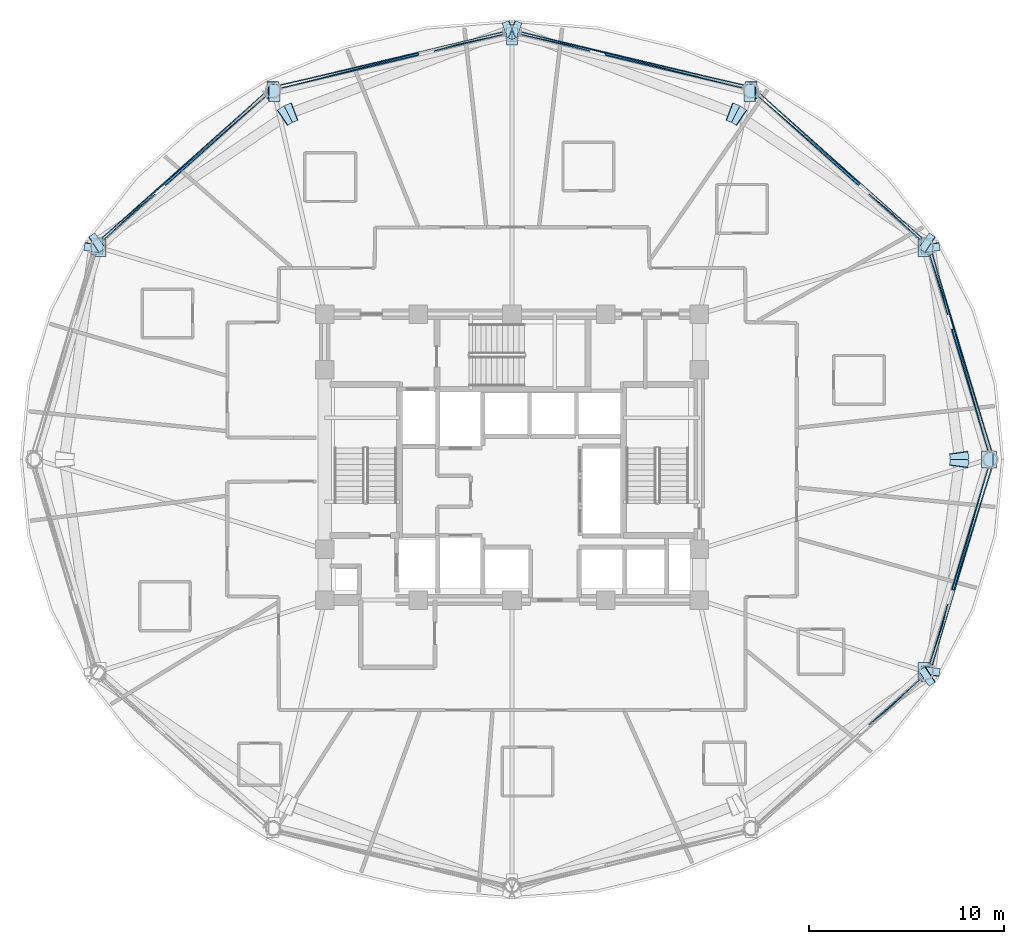
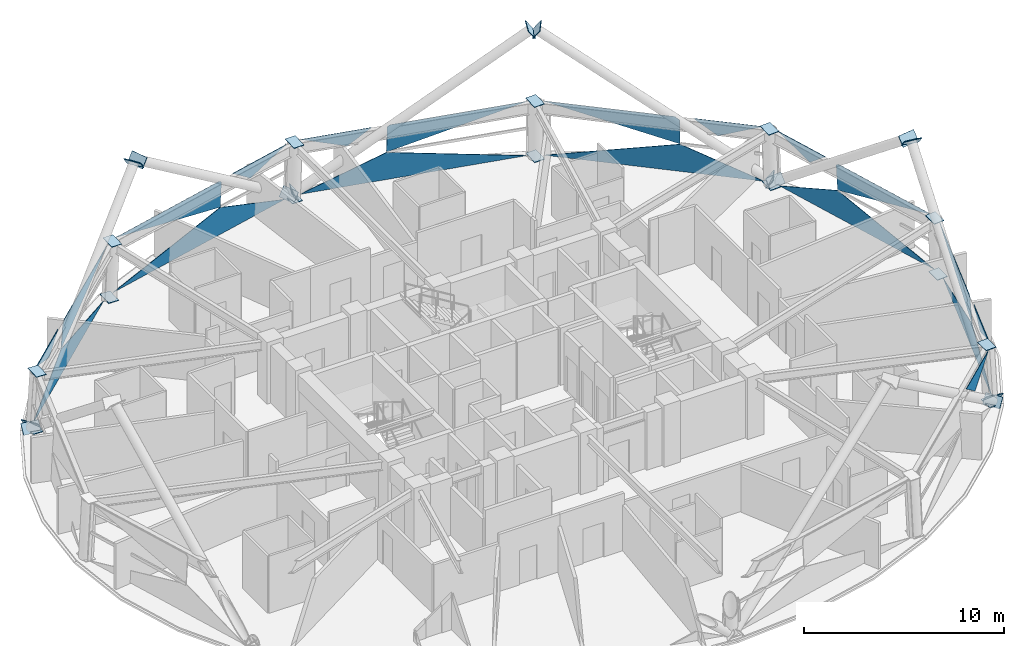
# One storey, part 6 of 13: 47 plates, 7 elements without a shape of their own.
"""IFC4 building model written with IfcOpenShell, lengths in metres."""

from ifc_helpers import new_model, si_unit, direction, frame, origin, place, context, subcontext, project, spatial, polyline, outline, extrude, material, layer, layer_set, type_object, element, aggregate, save


model = new_model("IFC4")

# Units and contexts
model_context = context("Model", 3, precision=1e-05, world=origin(), true_north=direction((0.0, 1.0)))
body_context = subcontext(model_context, "Body", "Model", "MODEL_VIEW")
ifc_project = project(units=[si_unit("LENGTHUNIT", "METRE"), si_unit("AREAUNIT", "SQUARE_METRE"), si_unit("VOLUMEUNIT", "CUBIC_METRE"), si_unit("PLANEANGLEUNIT", "RADIAN"), si_unit("MASSUNIT", "GRAM", prefix="KILO")], contexts=[model_context])

# Site, building, storey
site_placement = place(None, origin())
site = spatial("IfcSite", under=ifc_project, at=site_placement, CompositionType="ELEMENT")
building_placement = place(site_placement, origin())
building = spatial("IfcBuilding", under=site, at=building_placement, Name="Vantalir Tower", CompositionType="ELEMENT")
storey_placement = place(building_placement, frame((0.0, 0.0, 172.199951171875)))
storey = spatial("IfcBuildingStorey", under=building, at=storey_placement, Name="L43", CompositionType="ELEMENT", Elevation=172.199951171875)

# Curtain wall, plates
ifc_material_1 = material(Name="Champagne-silver PVDF aluminium and double-silver Low-E glass", Category="aluminium")
ifc_layer_1 = layer(ifc_material_1, 0.199951171875)
ifc_layer_set_1 = layer_set([ifc_layer_1], Name="Champagne-silver PVDF aluminium and double-silver Low-E glass")
curtain_wall_type = type_object("IfcCurtainWallType", Name="CW-DIAMOND-Z2", PredefinedType="USERDEFINED", material=ifc_layer_set_1)
curtain_wall_1_placement = place(storey_placement, origin())
curtain_wall_1 = element("IfcCurtainWall", 1, at=curtain_wall_1_placement, inside=storey, type_object=curtain_wall_type, Name="L43 Quilted Pyramid-Diamond Curtain Wall S01", ObjectType="UNITISED CURTAIN WALL", PredefinedType="USERDEFINED")
ifc_material_2 = material(Name="Double-silver Low-E laminated glass IGU", Category="glass")
ifc_layer_2 = layer(ifc_material_2, 0.028076171875)
ifc_layer_set_2 = layer_set([ifc_layer_2], Name="Double-silver Low-E laminated glass IGU")
plate_type_1 = type_object("IfcPlateType", Name="CWP-IGU-28", PredefinedType="CURTAIN_PANEL", material=ifc_layer_set_2)
plate_1_placement = place(storey_placement, frame((56.094970703125, 25.435546875, 0.046630859375), z_axis=(0.956955096844, 0.287718746603, 0.038142698863), x_axis=(-0.287929113413, 0.957651724333, 2.3039859e-05)))
plate_1 = element("IfcPlate", 2, at=plate_1_placement, type_object=plate_type_1, Name="CW-L43-S01 Pyramid Diamond Facet 1L", PredefinedType="CURTAIN_PANEL", context=body_context, shape_type="SweptSolid", body=[
    extrude(outline(polyline([(0.0, 0.0), (10.596446307439443, 3.198396408832238e-18), (6.56443984391698, 1.6924866249864094), (0.0, 0.0)])), origin(), (0.0, 0.0, -1.0), 0.028076171875),
])
plate_2_placement = place(storey_placement, frame((55.9091796875, 25.435791015625, 3.45361328125), z_axis=(0.955555812848, 0.287301329497, 0.066113800383), x_axis=(-0.28792892292, 0.957651781153, -3.7419372e-05)))
plate_2 = element("IfcPlate", 3, at=plate_2_placement, type_object=plate_type_1, Name="CW-L43-S01 Pyramid Diamond Facet 2U", PredefinedType="CURTAIN_PANEL", context=body_context, shape_type="SweptSolid", body=[
    extrude(outline(polyline([(0.0, 0.0), (6.375228442420221, 2.4936649967166602e-17), (6.510694119813763, -0.10961534320665463), (6.510619622570826, -1.6951099342302705), (0.0, 0.0)])), origin(), (0.0, 0.0, -1.0), 0.028076171875),
])
plate_3_placement = place(storey_placement, frame((53.843505859375, 32.417236328125, 3.45556640625), z_axis=(0.955531387519, 0.287358698285, 0.066217414521), x_axis=(-0.287985969373, 0.957634625381, -7.5606713e-05)))
plate_3 = element("IfcPlate", 4, at=plate_3_placement, type_object=plate_type_1, Name="CW-L43-S01 Pyramid Diamond Facet 2U Infill Light", PredefinedType="CURTAIN_PANEL", context=body_context, shape_type="SweptSolid", body=[
    extrude(outline(polyline([(0.0, 0.0), (3.2290866206102673, -1.0679391398982219e-17), (1.1092688719092458, -0.8986169178360527), (0.0, 0.0)])), origin(), (0.0, 0.0, -1.0), 0.028076171875),
])
aggregate(curtain_wall_1, [plate_1, plate_2, plate_3])

curtain_wall_2_placement = place(storey_placement, origin())
curtain_wall_2 = element("IfcCurtainWall", 5, at=curtain_wall_2_placement, inside=storey, type_object=curtain_wall_type, Name="L43 Quilted Pyramid-Diamond Curtain Wall S02", ObjectType="UNITISED CURTAIN WALL", PredefinedType="USERDEFINED")
plate_4_placement = place(storey_placement, frame((52.5732421875, 36.321533203125, 0.046630859375), z_axis=(0.66494584616, 0.746044335432, 0.035565028402), x_axis=(-0.746516092776, 0.665367359247, -2.1773205e-05)))
plate_4 = element("IfcPlate", 6, at=plate_4_placement, type_object=plate_type_1, Name="CW-L43-S02 Pyramid Diamond Facet 1L", PredefinedType="CURTAIN_PANEL", context=body_context, shape_type="SweptSolid", body=[
    extrude(outline(polyline([(0.0, 0.0), (11.212893532701283, 7.05544563744942e-17), (4.277620445849617, 1.692814463456665), (0.0, 0.0)])), origin(), (0.0, 0.0, -1.0), 0.028076171875),
])
plate_5_placement = place(storey_placement, frame((49.08154296875, 39.207763671875, 3.45361328125), z_axis=(0.664052763051, 0.745004480518, 0.063263353477), x_axis=(-0.746499829424, 0.665385605998, 2.62485e-07)))
plate_5 = element("IfcPlate", 7, at=plate_5_placement, type_object=plate_type_1, Name="CW-L43-S02 Pyramid Diamond Facet 2U", PredefinedType="CURTAIN_PANEL", context=body_context, shape_type="SweptSolid", body=[
    extrude(outline(polyline([(0.0, 0.0), (6.660290172437227, -5.551115123125783e-17), (-0.24911205735779632, -1.695290356590544), (-0.24916113519481653, -0.18689600127601272), (0.0, 0.0)])), origin(), (0.0, 0.0, -1.0), 0.028076171875),
])
plate_6_placement = place(storey_placement, frame((52.433837890625, 36.2626953125, 3.455322265625), z_axis=(0.664034774765, 0.745030019215, 0.0631513133), x_axis=(-0.746523024276, 0.665359579023, 6.9489251e-05)))
plate_6 = element("IfcPlate", 8, at=plate_6_placement, type_object=plate_type_1, Name="CW-L43-S02 Pyramid Diamond Facet 2U Infill Light", PredefinedType="CURTAIN_PANEL", context=body_context, shape_type="SweptSolid", body=[
    extrude(outline(polyline([(0.0, 0.0), (3.51335812705742, 1.2902005852577503e-17), (2.2856924784013866, -0.919719235607416), (0.0, 0.0)])), origin(), (0.0, 0.0, -1.0), 0.028076171875),
])
aggregate(curtain_wall_2, [plate_4, plate_5, plate_6])

curtain_wall_3_placement = place(storey_placement, origin())
curtain_wall_3 = element("IfcCurtainWall", 9, at=curtain_wall_3_placement, inside=storey, type_object=curtain_wall_type, Name="L43 Quilted Pyramid-Diamond Curtain Wall S03", ObjectType="UNITISED CURTAIN WALL", PredefinedType="USERDEFINED")
plate_7_placement = place(storey_placement, frame((43.42041015625, 44.190673828125, 0.04638671875), z_axis=(0.232201655206, 0.972101106324, 0.03319383079), x_axis=(-0.972637253993, 0.232329016088, 2.0688247e-05)))
plate_7 = element("IfcPlate", 10, at=plate_7_placement, type_object=plate_type_1, Name="CW-L43-S03 Pyramid Diamond Facet 1L", PredefinedType="CURTAIN_PANEL", context=body_context, shape_type="SweptSolid", body=[
    extrude(outline(polyline([(0.0, 0.0), (11.80093328383699, 8.700722434196173e-18), (7.3095462828480615, 1.692920363148302), (0.0, 0.0)])), origin(), (0.0, 0.0, -1.0), 0.028076171875),
])
plate_8_placement = place(storey_placement, frame((43.32763671875, 44.0478515625, 3.45361328125), z_axis=(0.231800060172, 0.970837811648, 0.061177410696), x_axis=(-0.972659666904, 0.232235166102, -1.816534e-06)))
plate_8 = element("IfcPlate", 11, at=plate_8_placement, type_object=plate_type_1, Name="CW-L43-S03 Pyramid Diamond Facet 2U", PredefinedType="CURTAIN_PANEL", context=body_context, shape_type="SweptSolid", body=[
    extrude(outline(polyline([(0.0, 0.0), (7.095155804582713, 1.3877787807814457e-17), (7.252657789767961, -0.11494822765630917), (7.252699249624582, -1.6950692657960613), (0.0, 0.0)])), origin(), (0.0, 0.0, -1.0), 0.028076171875),
])
plate_9_placement = place(storey_placement, frame((35.49560546875, 45.95068359375, 3.45556640625), z_axis=(0.231885813253, 0.970809732997, 0.061297894999), x_axis=(-0.972637806974, 0.232326692308, -6.6972238e-05)))
plate_9 = element("IfcPlate", 12, at=plate_9_placement, type_object=plate_type_1, Name="CW-L43-S03 Pyramid Diamond Facet 2U Infill Light", PredefinedType="CURTAIN_PANEL", context=body_context, shape_type="SweptSolid", body=[
    extrude(outline(polyline([(0.0, 0.0), (3.645400447577564, -1.463672932855431e-18), (1.248636104586471, -0.9125210312395221), (0.0, 0.0)])), origin(), (0.0, 0.0, -1.0), 0.028076171875),
])
aggregate(curtain_wall_3, [plate_7, plate_8, plate_9])

curtain_wall_4_placement = place(storey_placement, origin())
curtain_wall_4 = element("IfcCurtainWall", 13, at=curtain_wall_4_placement, inside=storey, type_object=curtain_wall_type, Name="L43 Quilted Pyramid-Diamond Curtain Wall S04", ObjectType="UNITISED CURTAIN WALL", PredefinedType="USERDEFINED")
plate_10_placement = place(storey_placement, frame((31.0576171875, 46.932373046875, 0.046630859375), z_axis=(-0.232201655206, 0.972101106324, 0.03319383079), x_axis=(-0.972637253993, -0.232329016088, -2.0688247e-05)))
plate_10 = element("IfcPlate", 14, at=plate_10_placement, type_object=plate_type_1, Name="CW-L43-S04 Pyramid Diamond Facet 1L", PredefinedType="CURTAIN_PANEL", context=body_context, shape_type="SweptSolid", body=[
    extrude(outline(polyline([(0.0, 0.0), (11.80093328383699, -8.700722434196173e-18), (4.4913870009889285, 1.692920363148302), (0.0, 0.0)])), origin(), (0.0, 0.0, -1.0), 0.028076171875),
])
plate_11_placement = place(storey_placement, frame((26.573486328125, 45.69580078125, 3.45361328125), z_axis=(-0.231800060172, 0.970837811648, 0.061177410696), x_axis=(-0.972659666904, -0.232235166102, 1.816534e-06)))
plate_11 = element("IfcPlate", 15, at=plate_11_placement, type_object=plate_type_1, Name="CW-L43-S04 Pyramid Diamond Facet 2U", PredefinedType="CURTAIN_PANEL", context=body_context, shape_type="SweptSolid", body=[
    extrude(outline(polyline([(0.0, 0.0), (7.095155804582713, -1.3877787807814457e-17), (-0.15754344504186904, -1.6950692657960613), (-0.15750198518524913, -0.1149482276563092), (0.0, 0.0)])), origin(), (0.0, 0.0, -1.0), 0.028076171875),
])
plate_12_placement = place(storey_placement, frame((31.050048828125, 46.797607421875, 3.455322265625), z_axis=(-0.231885813253, 0.970809732997, 0.061297894999), x_axis=(-0.972637806974, -0.232326692308, 6.6972238e-05)))
plate_12 = element("IfcPlate", 16, at=plate_12_placement, type_object=plate_type_1, Name="CW-L43-S04 Pyramid Diamond Facet 2U Infill Light", PredefinedType="CURTAIN_PANEL", context=body_context, shape_type="SweptSolid", body=[
    extrude(outline(polyline([(0.0, 0.0), (3.645400447577564, 1.463672932855431e-18), (2.3967643429910925, -0.912521031239522), (0.0, 0.0)])), origin(), (0.0, 0.0, -1.0), 0.028076171875),
])
aggregate(curtain_wall_4, [plate_10, plate_11, plate_12])

curtain_wall_5_placement = place(storey_placement, origin())
curtain_wall_5 = element("IfcCurtainWall", 17, at=curtain_wall_5_placement, inside=storey, type_object=curtain_wall_type, Name="L43 Quilted Pyramid-Diamond Curtain Wall S05", ObjectType="UNITISED CURTAIN WALL", PredefinedType="USERDEFINED")
plate_13_placement = place(storey_placement, frame((18.79736328125, 43.7822265625, 0.04638671875), z_axis=(-0.66494584616, 0.746044335432, 0.035565028402), x_axis=(-0.746516092776, -0.665367359247, 2.1773205e-05)))
plate_13 = element("IfcPlate", 18, at=plate_13_placement, type_object=plate_type_1, Name="CW-L43-S05 Pyramid Diamond Facet 1L", PredefinedType="CURTAIN_PANEL", context=body_context, shape_type="SweptSolid", body=[
    extrude(outline(polyline([(0.0, 0.0), (11.212893532701283, -7.05544563744942e-17), (6.935273086851668, 1.692814463456665), (0.0, 0.0)])), origin(), (0.0, 0.0, -1.0), 0.028076171875),
])
plate_14_placement = place(storey_placement, frame((18.890380859375, 43.639404296875, 3.45361328125), z_axis=(-0.664052763051, 0.745004480518, 0.063263353477), x_axis=(-0.746499829424, -0.665385605998, -2.62485e-07)))
plate_14 = element("IfcPlate", 19, at=plate_14_placement, type_object=plate_type_1, Name="CW-L43-S05 Pyramid Diamond Facet 2U", PredefinedType="CURTAIN_PANEL", context=body_context, shape_type="SweptSolid", body=[
    extrude(outline(polyline([(0.0, 0.0), (6.660290172437227, 5.551115123125783e-17), (6.909451307632044, -0.1868960012760127), (6.909402229795023, -1.695290356590544), (0.0, 0.0)])), origin(), (0.0, 0.0, -1.0), 0.028076171875),
])
plate_15_placement = place(storey_placement, frame((13.18896484375, 38.600341796875, 3.45556640625), z_axis=(-0.664034774765, 0.745030019215, 0.0631513133), x_axis=(-0.746523024276, -0.665359579023, -6.9489251e-05)))
plate_15 = element("IfcPlate", 20, at=plate_15_placement, type_object=plate_type_1, Name="CW-L43-S05 Pyramid Diamond Facet 2U Infill Light", PredefinedType="CURTAIN_PANEL", context=body_context, shape_type="SweptSolid", body=[
    extrude(outline(polyline([(0.0, 0.0), (3.51335812705742, -1.2902005852577503e-17), (1.2276656486560331, -0.919719235607416), (0.0, 0.0)])), origin(), (0.0, 0.0, -1.0), 0.028076171875),
])
aggregate(curtain_wall_5, [plate_13, plate_14, plate_15])

# Curtain wall, plate
curtain_wall_6_placement = place(storey_placement, origin())
curtain_wall_6 = element("IfcCurtainWall", 21, at=curtain_wall_6_placement, inside=storey, type_object=curtain_wall_type, Name="L43 Quilted Pyramid-Diamond Curtain Wall S11", ObjectType="UNITISED CURTAIN WALL", PredefinedType="USERDEFINED")
plate_16_placement = place(storey_placement, frame((49.81103515625, 11.399658203125, 3.45556640625), z_axis=(0.664034774765, -0.745030019215, 0.0631513133), x_axis=(0.746523024276, 0.665359579023, -6.9489251e-05)))
plate_16 = element("IfcPlate", 22, at=plate_16_placement, type_object=plate_type_1, Name="CW-L43-S11 Pyramid Diamond Facet 2U Infill Light", PredefinedType="CURTAIN_PANEL", context=body_context, shape_type="SweptSolid", body=[
    extrude(outline(polyline([(0.0, 0.0), (3.51335812705742, -1.2902005852577503e-17), (1.2276656486560331, -0.919719235607416), (0.0, 0.0)])), origin(), (0.0, 0.0, -1.0), 0.028076171875),
])
aggregate(curtain_wall_6, [plate_16])

# Curtain wall, plates
curtain_wall_7_placement = place(storey_placement, origin())
curtain_wall_7 = element("IfcCurtainWall", 23, at=curtain_wall_7_placement, inside=storey, type_object=curtain_wall_type, Name="L43 Quilted Pyramid-Diamond Curtain Wall S12", ObjectType="UNITISED CURTAIN WALL", PredefinedType="USERDEFINED")
plate_17_placement = place(storey_placement, frame((53.0439453125, 14.416748046875, 0.046875), z_axis=(0.956955096844, -0.287718746603, 0.038142698863), x_axis=(0.287929113413, 0.957651724333, -2.3039859e-05)))
plate_17 = element("IfcPlate", 24, at=plate_17_placement, type_object=plate_type_1, Name="CW-L43-S12 Pyramid Diamond Facet 1L", PredefinedType="CURTAIN_PANEL", context=body_context, shape_type="SweptSolid", body=[
    extrude(outline(polyline([(0.0, 0.0), (10.596446307439443, -3.198396408832238e-18), (4.032006463522464, 1.6924866249864097), (0.0, 0.0)])), origin(), (0.0, 0.0, -1.0), 0.028076171875),
])
plate_18_placement = place(storey_placement, frame((54.073486328125, 18.458984375, 3.453369140625), z_axis=(0.955555812848, -0.287301329497, 0.066113800383), x_axis=(0.28792892292, 0.957651781153, 3.7419372e-05)))
plate_18 = element("IfcPlate", 25, at=plate_18_placement, type_object=plate_type_1, Name="CW-L43-S12 Pyramid Diamond Facet 2U", PredefinedType="CURTAIN_PANEL", context=body_context, shape_type="SweptSolid", body=[
    extrude(outline(polyline([(0.0, 0.0), (6.375228442420221, -2.4936649967166602e-17), (-0.13539118015060558, -1.6951099342302707), (-0.1354656773935436, -0.10961534320665464), (0.0, 0.0)])), origin(), (0.0, 0.0, -1.0), 0.028076171875),
])
plate_19_placement = place(storey_placement, frame((52.91357421875, 14.490478515625, 3.455322265625), z_axis=(0.955531387519, -0.287358698285, 0.066217414521), x_axis=(0.287985969373, 0.957634625381, 7.5606713e-05)))
plate_19 = element("IfcPlate", 26, at=plate_19_placement, type_object=plate_type_1, Name="CW-L43-S12 Pyramid Diamond Facet 2U Infill Light", PredefinedType="CURTAIN_PANEL", context=body_context, shape_type="SweptSolid", body=[
    extrude(outline(polyline([(0.0, 0.0), (3.2290866206102673, 1.0679391398982219e-17), (2.119817748701022, -0.8986169178360526), (0.0, 0.0)])), origin(), (0.0, 0.0, -1.0), 0.028076171875),
])
aggregate(curtain_wall_7, [plate_17, plate_18, plate_19])

# Plates
ifc_material_3 = material(Name="Steel S460", Category="steel")
ifc_layer_3 = layer(ifc_material_3, 0.0400390625)
ifc_layer_set_3 = layer_set([ifc_layer_3], Name="Steel S460")
plate_type_2 = type_object("IfcPlateType", Name="PLT-KN-Z1", PredefinedType="USERDEFINED", material=ifc_layer_set_3)
plate_20_placement = place(storey_placement, frame((52.873291015625, 36.6181640625, -0.03466796875), z_axis=(-0.668480188016, 0.449552408881, 0.592483645258), x_axis=(-0.558077464178, -0.829788853496, -5.0887868e-05)))
element("IfcPlate", 27, at=plate_20_placement, inside=storey, type_object=plate_type_2, Name="Node Cap Plate MEM-DG-L43-R04L Start", ObjectType="FLANGE_PLATE", PredefinedType="USERDEFINED", context=body_context, shape_type="SweptSolid", body=[
    extrude(outline(polyline([(0.0, 0.0), (0.9500811670251212, -5.551115123125783e-17), (0.9500518134120784, 0.62012280433467), (0.00010689576786004398, 0.620002781520229), (0.0, 0.0)])), origin(), (0.0, 0.0, -1.0), 0.0400390625),
])
plate_21_placement = place(storey_placement, frame((43.208251953125, 43.1171875, 8.52880859375), z_axis=(-0.668480188016, 0.449552408881, 0.592483645258), x_axis=(-0.558015345776, -0.829830628073, 5.0895166e-05)))
element("IfcPlate", 28, at=plate_21_placement, inside=storey, type_object=plate_type_2, Name="Node Cap Plate MEM-DG-L43-R04L End", ObjectType="FLANGE_PLATE", PredefinedType="USERDEFINED", context=body_context, shape_type="SweptSolid", body=[
    extrude(outline(polyline([(0.0, 0.0), (0.9499449252264873, 0.0), (0.9501301565651923, 0.6200027630655183), (4.899712342766172e-05, 0.6201228030937195), (0.0, 0.0)])), origin(), (0.0, 0.0, -1.0), 0.0400390625),
])
plate_22_placement = place(storey_placement, frame((52.493408203125, 35.586181640625, -0.021484375), z_axis=(0.107686408015, -0.776571112615, 0.620758362473), x_axis=(0.990529581952, 0.137299462145, -7.0521214e-05)))
element("IfcPlate", 29, at=plate_22_placement, inside=storey, type_object=plate_type_2, Name="Node Cap Plate MEM-DG-L43-R04R Start", ObjectType="FLANGE_PLATE", PredefinedType="USERDEFINED", context=body_context, shape_type="SweptSolid", body=[
    extrude(outline(polyline([(0.0, 0.0), (0.9501487917991496, 0.0), (0.949996553725775, 0.6200889960991516), (5.60700613438288e-05, 0.6199180824907526), (0.0, 0.0)])), origin(), (0.0, 0.0, -1.0), 0.0400390625),
])
plate_23_placement = place(storey_placement, frame((53.9755859375, 24.89013671875, 8.5302734375), z_axis=(0.107574545975, -0.776490800491, 0.620878211738), x_axis=(0.990540322613, 0.137221970557, -8.58093e-06)))
element("IfcPlate", 30, at=plate_23_placement, inside=storey, type_object=plate_type_2, Name="Node Cap Plate MEM-DG-L43-R04R End", ObjectType="FLANGE_PLATE", PredefinedType="USERDEFINED", context=body_context, shape_type="SweptSolid", body=[
    extrude(outline(polyline([(0.0, 0.0), (0.9501487978397543, -1.3877787807814457e-17), (0.9499965476861381, 0.6200890053520722), (8.958097983424234e-05, 0.6200682066536647), (0.0, 0.0)])), origin(), (0.0, 0.0, -1.0), 0.0400390625),
])
plate_24_placement = place(storey_placement, frame((30.98974609375, 47.35302734375, -0.03857421875), z_axis=(-0.759724482838, -0.286944420795, 0.583508020126), x_axis=(0.353347566716, -0.935492114682, 2.1515352e-05)))
element("IfcPlate", 31, at=plate_24_placement, inside=storey, type_object=plate_type_2, Name="Node Cap Plate MEM-DG-L43-R10L Start", ObjectType="FLANGE_PLATE", PredefinedType="USERDEFINED", context=body_context, shape_type="SweptSolid", body=[
    extrude(outline(polyline([(0.0, 0.0), (0.9499619633004104, -5.551115123125783e-17), (0.9500893354063336, 0.6198657248836383), (-0.00010101952363794567, 0.6199160660664534), (0.0, 0.0)])), origin(), (0.0, 0.0, -1.0), 0.0400390625),
])
plate_25_placement = place(storey_placement, frame((19.835693359375, 43.139404296875, 8.528564453125), z_axis=(-0.759608332451, -0.287004878804, 0.583629489329), x_axis=(0.35342171075, -0.935464105733, -3.5443611e-05)))
element("IfcPlate", 32, at=plate_25_placement, inside=storey, type_object=plate_type_2, Name="Node Cap Plate MEM-DG-L43-R10L End", ObjectType="FLANGE_PLATE", PredefinedType="USERDEFINED", context=body_context, shape_type="SweptSolid", body=[
    extrude(outline(polyline([(0.0, 0.0), (0.9499619621944103, 0.0), (0.9501756098474444, 0.6199990072915424), (-0.00010102173575563665, 0.6199160643712538), (0.0, 0.0)])), origin(), (0.0, 0.0, -1.0), 0.0400390625),
])
plate_26_placement = place(storey_placement, frame((31.674560546875, 46.46435546875, -0.03857421875), z_axis=(0.759724482838, -0.286944420795, 0.583508020126), x_axis=(0.353347566716, 0.935492114682, -2.1515352e-05)))
element("IfcPlate", 33, at=plate_26_placement, inside=storey, type_object=plate_type_2, Name="Node Cap Plate MEM-DG-L43-R10R Start", ObjectType="FLANGE_PLATE", PredefinedType="USERDEFINED", context=body_context, shape_type="SweptSolid", body=[
    extrude(outline(polyline([(0.0, 0.0), (0.9499619633004104, 5.551115123125783e-17), (0.9500629828240483, 0.6199160660664534), (-0.00012737210592316038, 0.6198657248836383), (0.0, 0.0)])), origin(), (0.0, 0.0, -1.0), 0.0400390625),
])
plate_27_placement = place(storey_placement, frame((42.82861328125, 42.250732421875, 8.528564453125), z_axis=(0.759608332451, -0.287004878804, 0.583629489329), x_axis=(0.35342171075, 0.935464105733, 3.5443611e-05)))
element("IfcPlate", 34, at=plate_27_placement, inside=storey, type_object=plate_type_2, Name="Node Cap Plate MEM-DG-L43-R10R End", ObjectType="FLANGE_PLATE", PredefinedType="USERDEFINED", context=body_context, shape_type="SweptSolid", body=[
    extrude(outline(polyline([(0.0, 0.0), (0.9499619621944103, 0.0), (0.9500629839301659, 0.6199160643712538), (-0.00021364765303411726, 0.6199990072915426), (0.0, 0.0)])), origin(), (0.0, 0.0, -1.0), 0.0400390625),
])
plate_28_placement = place(storey_placement, frame((9.5654296875, 35.716552734375, -0.021484375), z_axis=(-0.107686408015, -0.776571112615, 0.620758362473), x_axis=(0.990529581952, -0.137299462145, 7.0521214e-05)))
element("IfcPlate", 35, at=plate_28_placement, inside=storey, type_object=plate_type_2, Name="Node Cap Plate MEM-DG-L43-R16L Start", ObjectType="FLANGE_PLATE", PredefinedType="USERDEFINED", context=body_context, shape_type="SweptSolid", body=[
    extrude(outline(polyline([(0.0, 0.0), (0.9501487917991496, 0.0), (0.9500927217378057, 0.6199180824907526), (0.00015223807337450224, 0.6200889960991516), (0.0, 0.0)])), origin(), (0.0, 0.0, -1.0), 0.0400390625),
])
plate_29_placement = place(storey_placement, frame((10.656982421875, 35.829833984375, -0.03466796875), z_axis=(0.668480188016, 0.449552408881, 0.592483645258), x_axis=(-0.558077464178, 0.829788853496, 5.0887868e-05)))
element("IfcPlate", 36, at=plate_29_placement, inside=storey, type_object=plate_type_2, Name="Node Cap Plate MEM-DG-L43-R16R Start", ObjectType="FLANGE_PLATE", PredefinedType="USERDEFINED", context=body_context, shape_type="SweptSolid", body=[
    extrude(outline(polyline([(0.0, 0.0), (0.9500811670251212, 5.551115123125783e-17), (0.9499742712572612, 0.6200027815202291), (2.9353613042825778e-05, 0.6201228043346702), (0.0, 0.0)])), origin(), (0.0, 0.0, -1.0), 0.0400390625),
])
plate_30_placement = place(storey_placement, frame((20.32177734375, 42.328857421875, 8.52880859375), z_axis=(0.668480188016, 0.449552408881, 0.592483645258), x_axis=(-0.558015345776, 0.829830628073, -5.0895166e-05)))
element("IfcPlate", 37, at=plate_30_placement, inside=storey, type_object=plate_type_2, Name="Node Cap Plate MEM-DG-L43-R16R End", ObjectType="FLANGE_PLATE", PredefinedType="USERDEFINED", context=body_context, shape_type="SweptSolid", body=[
    extrude(outline(polyline([(0.0, 0.0), (0.9499449252264873, 0.0), (0.9498959281030597, 0.6201228030937195), (-0.0001852313387049428, 0.6200027630655183), (0.0, 0.0)])), origin(), (0.0, 0.0, -1.0), 0.0400390625),
])
plate_31_placement = place(storey_placement, frame((53.4345703125, 14.283447265625, -0.021484375), z_axis=(0.107686408015, 0.776571112615, 0.620758362473), x_axis=(-0.990529581952, 0.137299462145, 7.0521214e-05)))
element("IfcPlate", 38, at=plate_31_placement, inside=storey, type_object=plate_type_2, Name="Node Cap Plate MEM-DG-L43-R34L Start", ObjectType="FLANGE_PLATE", PredefinedType="USERDEFINED", context=body_context, shape_type="SweptSolid", body=[
    extrude(outline(polyline([(0.0, 0.0), (0.9501487917991496, 0.0), (0.9500927217378057, 0.6199180824907526), (0.00015223807337450224, 0.6200889960991516), (0.0, 0.0)])), origin(), (0.0, 0.0, -1.0), 0.0400390625),
])
plate_32_placement = place(storey_placement, frame((54.916748046875, 24.9794921875, 8.5302734375), z_axis=(0.107574545975, 0.776490800491, 0.620878211738), x_axis=(-0.990540322613, 0.137221970557, 8.58093e-06)))
element("IfcPlate", 39, at=plate_32_placement, inside=storey, type_object=plate_type_2, Name="Node Cap Plate MEM-DG-L43-R34L End", ObjectType="FLANGE_PLATE", PredefinedType="USERDEFINED", context=body_context, shape_type="SweptSolid", body=[
    extrude(outline(polyline([(0.0, 0.0), (0.9501487978397543, 1.3877787807814457e-17), (0.9500592168599201, 0.6200682066536647), (0.00015225015361626314, 0.6200890053520722), (0.0, 0.0)])), origin(), (0.0, 0.0, -1.0), 0.0400390625),
])
plate_33_placement = place(storey_placement, frame((52.343017578125, 14.170166015625, -0.03466796875), z_axis=(-0.668480188016, -0.449552408881, 0.592483645258), x_axis=(0.558077464178, -0.829788853496, 5.0887868e-05)))
element("IfcPlate", 40, at=plate_33_placement, inside=storey, type_object=plate_type_2, Name="Node Cap Plate MEM-DG-L43-R34R Start", ObjectType="FLANGE_PLATE", PredefinedType="USERDEFINED", context=body_context, shape_type="SweptSolid", body=[
    extrude(outline(polyline([(0.0, 0.0), (0.9500811670251212, 5.551115123125783e-17), (0.9499742712572612, 0.6200027815202291), (2.9353613042825778e-05, 0.6201228043346702), (0.0, 0.0)])), origin(), (0.0, 0.0, -1.0), 0.0400390625),
])
ifc_layer_4 = layer(ifc_material_3, 0.035888671875)
ifc_layer_set_4 = layer_set([ifc_layer_4], Name="Steel S460")
plate_type_3 = type_object("IfcPlateType", Name="PLT-KN-Z2", PredefinedType="USERDEFINED", material=ifc_layer_set_4)
plate_34_placement = place(storey_placement, frame((55.558837890625, 25.43994140625, 3.5126953125), z_axis=(-0.053022653613, 0.0, 0.998593309713), x_axis=(0.0, -1.0, 0.0)))
element("IfcPlate", 41, at=plate_34_placement, inside=storey, type_object=plate_type_3, Name="L43 Ring Column Top Cap RC01", ObjectType="FLANGE_PLATE", PredefinedType="USERDEFINED", context=body_context, shape_type="SweptSolid", body=[
    extrude(outline(polyline([(0.0, 0.0), (0.8798828125, 0.0), (0.8798828125, 0.5801618111094996), (0.0, 0.5801618111094996), (0.0, 0.0)])), origin(), (0.0, 0.0, -1.0), 0.035888671875),
])
plate_35_placement = place(storey_placement, frame((55.74365234375, 25.43994140625, 0.03759765625), z_axis=(-0.053044944293, 0.0, 0.998592125888), x_axis=(0.0, -1.0, 0.0)))
element("IfcPlate", 42, at=plate_35_placement, inside=storey, type_object=plate_type_3, Name="L43 Ring Column Base Cap RC01", ObjectType="FLANGE_PLATE", PredefinedType="USERDEFINED", context=body_context, shape_type="SweptSolid", body=[
    extrude(outline(polyline([(0.0, 0.0), (0.8798828125, 0.0), (0.8798828125, 0.5799180140592249), (0.0, 0.5799180140592249), (0.0, 0.0)])), origin(), (0.0, 0.0, -1.0), 0.035888671875),
])
plate_36_placement = place(storey_placement, frame((52.297119140625, 36.280517578125, 3.525146484375), z_axis=(-0.04611202352, -0.023698310777, 0.998655131341), x_axis=(-6.38869e-06, -0.999718550058, -0.023723840934)))
element("IfcPlate", 43, at=plate_36_placement, inside=storey, type_object=plate_type_3, Name="L43 Ring Column Top Cap RC02", ObjectType="FLANGE_PLATE", PredefinedType="USERDEFINED", context=body_context, shape_type="SweptSolid", body=[
    extrude(outline(polyline([(0.0, 0.0), (0.8798892056103794, -1.0842021724855044e-19), (0.8799806052165994, 0.5799682518534871), (9.719155957303282e-05, 0.5799569972407201), (0.0, 0.0)])), origin(), (0.0, 0.0, -1.0), 0.035888671875),
])
plate_37_placement = place(storey_placement, frame((52.456787109375, 36.363037109375, 0.050048828125), z_axis=(-0.045877776836, -0.023556788622, 0.998669268228), x_axis=(1.49894e-07, -0.999721915128, -0.023581611759)))
element("IfcPlate", 44, at=plate_37_placement, inside=storey, type_object=plate_type_3, Name="L43 Ring Column Base Cap RC02", ObjectType="FLANGE_PLATE", PredefinedType="USERDEFINED", context=body_context, shape_type="SweptSolid", body=[
    extrude(outline(polyline([(0.0, 0.0), (0.8801274949023825, -1.0842021724855044e-19), (0.8799881892373009, 0.5802006280304836), (0.0001047670681038886, 0.5802008921228243), (0.0, 0.0)])), origin(), (0.0, 0.0, -1.0), 0.035888671875),
])
plate_38_placement = place(storey_placement, frame((43.38427734375, 44.2158203125, 3.538330078125), z_axis=(-0.02653781712, -0.041044873782, 0.998804817068), x_axis=(1.51072e-07, -0.999156710122, -0.041059330457)))
element("IfcPlate", 45, at=plate_38_placement, inside=storey, type_object=plate_type_3, Name="L43 Ring Column Top Cap RC03", ObjectType="FLANGE_PLATE", PredefinedType="USERDEFINED", context=body_context, shape_type="SweptSolid", body=[
    extrude(outline(polyline([(0.0, 0.0), (0.8801365358320626, -2.168404344971009e-19), (0.8799929651283415, 0.5800381349982341), (0.00010036403996103484, 0.5800384009831245), (0.0, 0.0)])), origin(), (0.0, 0.0, -1.0), 0.035888671875),
])
plate_39_placement = place(storey_placement, frame((43.476806640625, 44.35888671875, 0.0634765625), z_axis=(-0.026557672272, -0.041315983789, 0.998793111474), x_axis=(0.0, -0.999145527269, -0.041330561789)))
element("IfcPlate", 46, at=plate_39_placement, inside=storey, type_object=plate_type_3, Name="L43 Ring Column Base Cap RC03", ObjectType="FLANGE_PLATE", PredefinedType="USERDEFINED", context=body_context, shape_type="SweptSolid", body=[
    extrude(outline(polyline([(0.0, 0.0), (0.8801465925123302, 1.0842021724855044e-19), (0.880242688994048, 0.5797943471788356), (9.609648171772522e-05, 0.5797943471788357), (0.0, 0.0)])), origin(), (0.0, 0.0, -1.0), 0.035888671875),
])
plate_40_placement = place(storey_placement, frame((31.2099609375, 47.1201171875, 3.548828125), z_axis=(0.0, -0.04744650457, 0.998873780417), x_axis=(0.0, -0.998873780417, -0.04744650457)))
element("IfcPlate", 47, at=plate_40_placement, inside=storey, type_object=plate_type_3, Name="L43 Ring Column Top Cap RC04", ObjectType="FLANGE_PLATE", PredefinedType="USERDEFINED", context=body_context, shape_type="SweptSolid", body=[
    extrude(outline(polyline([(0.0, 0.0), (0.8798972074662698, 0.0), (0.8798972074662698, 0.5800781249999999), (0.0, 0.5800781249999999), (0.0, 0.0)])), origin(), (0.0, 0.0, -1.0), 0.035888671875),
])
plate_41_placement = place(storey_placement, frame((31.2099609375, 47.284912109375, 0.07373046875), z_axis=(0.0, -0.047169658796, 0.99888689214), x_axis=(0.0, -0.99888689214, -0.047169658796)))
element("IfcPlate", 48, at=plate_41_placement, inside=storey, type_object=plate_type_3, Name="L43 Ring Column Base Cap RC04", ObjectType="FLANGE_PLATE", PredefinedType="USERDEFINED", context=body_context, shape_type="SweptSolid", body=[
    extrude(outline(polyline([(0.0, 0.0), (0.8798856576414184, 0.0), (0.8798856576414184, 0.580078125), (0.0, 0.580078125), (0.0, 0.0)])), origin(), (0.0, 0.0, -1.0), 0.035888671875),
])
plate_42_placement = place(storey_placement, frame((19.035888671875, 44.215087890625, 3.5537109375), z_axis=(0.02653781712, -0.041044873782, 0.998804817068), x_axis=(1.51114e-07, -0.999156709793, -0.041059338473)))
element("IfcPlate", 49, at=plate_42_placement, inside=storey, type_object=plate_type_3, Name="L43 Ring Column Top Cap RC05", ObjectType="FLANGE_PLATE", PredefinedType="USERDEFINED", context=body_context, shape_type="SweptSolid", body=[
    extrude(outline(polyline([(0.0, 0.0), (0.8798926010884206, -2.168404344971009e-19), (0.880036347133291, 0.5800381349548074), (-0.00010018869873149082, 0.5800384010134375), (0.0, 0.0)])), origin(), (0.0, 0.0, -1.0), 0.035888671875),
])
plate_43_placement = place(storey_placement, frame((18.943603515625, 44.358154296875, 0.078857421875), z_axis=(0.026557672272, -0.041315983789, 0.998793111474), x_axis=(0.0, -0.999145527269, -0.041330561789)))
element("IfcPlate", 50, at=plate_43_placement, inside=storey, type_object=plate_type_3, Name="L43 Ring Column Base Cap RC05", ObjectType="FLANGE_PLATE", PredefinedType="USERDEFINED", context=body_context, shape_type="SweptSolid", body=[
    extrude(outline(polyline([(0.0, 0.0), (0.8801465925123302, -1.0842021724855044e-19), (0.8800504960306125, 0.5797943471788357), (-9.609648171772522e-05, 0.5797943471788357), (0.0, 0.0)])), origin(), (0.0, 0.0, -1.0), 0.035888671875),
])
plate_44_placement = place(storey_placement, frame((10.12353515625, 36.27978515625, 3.5517578125), z_axis=(0.04611202352, -0.023698310777, 0.998655131341), x_axis=(-6.388732e-06, -0.999718564051, -0.02372325128)))
element("IfcPlate", 51, at=plate_44_placement, inside=storey, type_object=plate_type_3, Name="L43 Ring Column Top Cap RC06", ObjectType="FLANGE_PLATE", PredefinedType="USERDEFINED", context=body_context, shape_type="SweptSolid", body=[
    extrude(outline(polyline([(0.0, 0.0), (0.8798834137290054, 1.0842021724855044e-19), (0.8797845957330496, 0.5799682506369479), (-0.00010460980535028882, 0.5799569959500969), (0.0, 0.0)])), origin(), (0.0, 0.0, -1.0), 0.035888671875),
])
plate_45_placement = place(storey_placement, frame((9.963623046875, 36.3623046875, 0.07666015625), z_axis=(0.045877776836, -0.023556788622, 0.998669268228), x_axis=(1.49935e-07, -0.999721914803, -0.023581625525)))
element("IfcPlate", 52, at=plate_45_placement, inside=storey, type_object=plate_type_3, Name="L43 Ring Column Base Cap RC06", ObjectType="FLANGE_PLATE", PredefinedType="USERDEFINED", context=body_context, shape_type="SweptSolid", body=[
    extrude(outline(polyline([(0.0, 0.0), (0.8798834221692367, -1.0842021724855044e-19), (0.8800229019784583, 0.5802006279886456), (-0.00010459292388451048, 0.5802008921542435), (0.0, 0.0)])), origin(), (0.0, 0.0, -1.0), 0.035888671875),
])
plate_46_placement = place(storey_placement, frame((52.297119140625, 14.59912109375, 3.504150390625), z_axis=(-0.04611202352, 0.023698310777, 0.998655131341), x_axis=(6.38869e-06, -0.999718550058, 0.023723840934)))
element("IfcPlate", 53, at=plate_46_placement, inside=storey, type_object=plate_type_3, Name="L43 Ring Column Top Cap RC12", ObjectType="FLANGE_PLATE", PredefinedType="USERDEFINED", context=body_context, shape_type="SweptSolid", body=[
    extrude(outline(polyline([(0.0, 0.0), (0.8798892056103794, 1.0842021724855044e-19), (0.8797920140508065, 0.5799569972407203), (-9.13996062199096e-05, 0.579968251853487), (0.0, 0.0)])), origin(), (0.0, 0.0, -1.0), 0.035888671875),
])
plate_47_placement = place(storey_placement, frame((52.456787109375, 14.516845703125, 0.029296875), z_axis=(-0.045877776836, 0.023556788622, 0.998669268228), x_axis=(-1.49894e-07, -0.999721915128, 0.023581611759)))
element("IfcPlate", 54, at=plate_47_placement, inside=storey, type_object=plate_type_3, Name="L43 Ring Column Base Cap RC12", ObjectType="FLANGE_PLATE", PredefinedType="USERDEFINED", context=body_context, shape_type="SweptSolid", body=[
    extrude(outline(polyline([(0.0, 0.0), (0.8801274949023825, 1.0842021724855044e-19), (0.8800227278342787, 0.5802008921228243), (0.00013930566508161488, 0.5802006280304836), (0.0, 0.0)])), origin(), (0.0, 0.0, -1.0), 0.035888671875),
])

save(model, "model.ifc")
